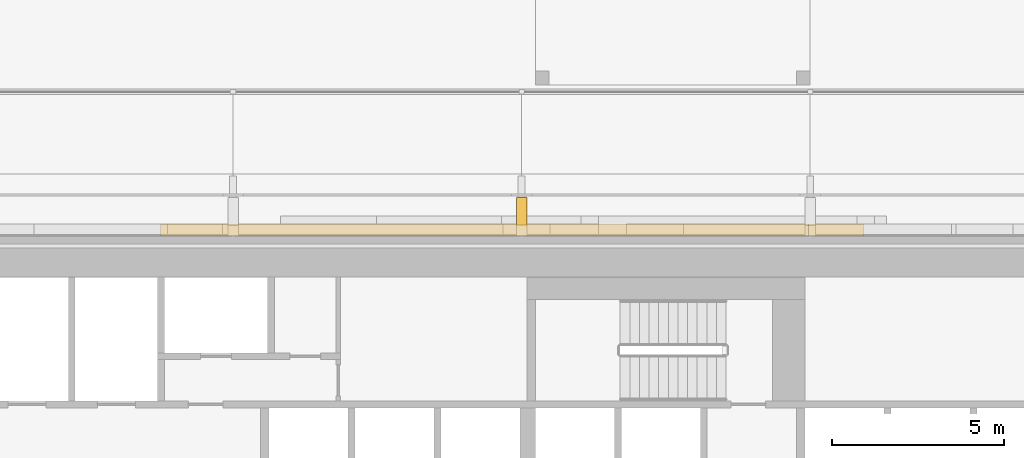
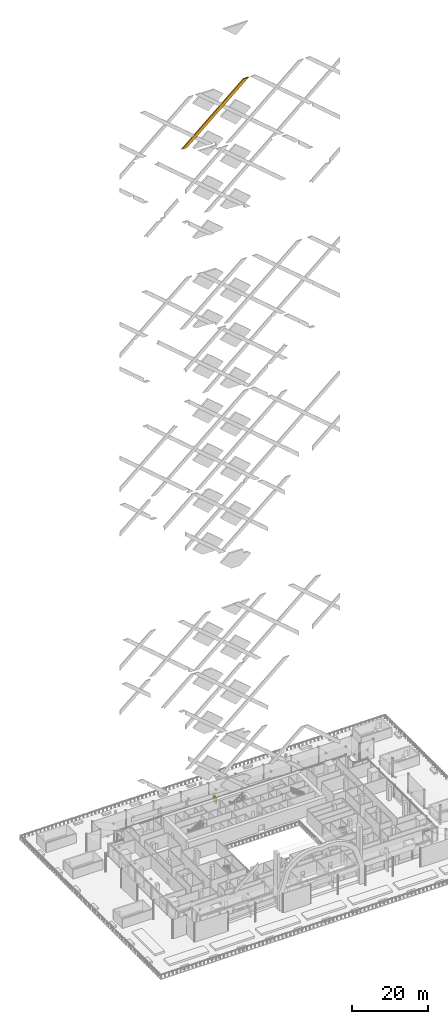
# One storey, part 43 of 60: 2 coverings.
"""IFC4 building model written with IfcOpenShell, lengths in metres."""

from ifc_helpers import new_model, si_unit, direction, frame, origin, origin_2d, place, context, subcontext, project, spatial, polyline, rectangle, outline, extrude, material, layer, layer_set, type_object, element, save


model = new_model("IFC4")

# Units and contexts
model_context = context("Model", 3, precision=1e-05, world=origin(), true_north=direction((0.0, 1.0)))
body_context = subcontext(model_context, "Body", "Model", "MODEL_VIEW")
ifc_project = project(units=[si_unit("LENGTHUNIT", "METRE"), si_unit("AREAUNIT", "SQUARE_METRE"), si_unit("VOLUMEUNIT", "CUBIC_METRE"), si_unit("PLANEANGLEUNIT", "RADIAN"), si_unit("MASSUNIT", "GRAM", prefix="KILO")], contexts=[model_context])

# Site, building, storey
site_placement = place(None, origin())
site = spatial("IfcSite", under=ifc_project, at=site_placement, CompositionType="ELEMENT")
building_placement = place(site_placement, origin())
building = spatial("IfcBuilding", under=site, at=building_placement, Name="Saffron Gate Tower", CompositionType="ELEMENT")
storey_placement = place(building_placement, frame((0.0, 0.0, 19.199951171875)))
storey = spatial("IfcBuildingStorey", under=building, at=storey_placement, Name="L03", CompositionType="ELEMENT", Elevation=19.199951171875)

# Coverings
ifc_material_1 = material(Name="Timber, thermally modified ash", Category="wood")
ifc_layer_1 = layer(ifc_material_1, 0.300048828125)
ifc_layer_set_1 = layer_set([ifc_layer_1], Name="LD3 ledge riser fin")
covering_type_1 = type_object("IfcCoveringType", Name="LD3 ledge riser fin", PredefinedType="CLADDING", material=ifc_layer_set_1)
covering_1_placement = place(storey_placement, frame((83.39990234375, 76.159912109375, 2.099365234375), z_axis=(0.0, 0.0, 1.0), x_axis=(-1.0, 0.0, 0.0)))
element("IfcCovering", 1, at=covering_1_placement, inside=storey, type_object=covering_type_1, Name="LEDGE riser fin", PredefinedType="CLADDING", context=body_context, shape_type="SweptSolid", body=[
    extrude(rectangle(XDim=0.300048828125, YDim=1.1201171875, at=origin_2d()), origin(), (0.0, 0.0, 1.0), 1.93115234375),
])
ifc_material_2 = material(Name="Ceramic-printed bronze insulated panel")
ifc_layer_2 = layer(ifc_material_2, 0.35009765625)
ifc_layer_set_2 = layer_set([ifc_layer_2], Name="LZ1 lozenge lattice bar 1600")
covering_type_2 = type_object("IfcCoveringType", Name="LZ1 lozenge lattice bar 1600", PredefinedType="CLADDING", material=ifc_layer_set_2)
covering_2_placement = place(storey_placement, frame((74.43505859375, 75.949951171875, 216.88720703125), z_axis=(0.0, 1.0, 0.0), x_axis=(-0.999583684676, 0.0, 0.02885233664)))
element("IfcCovering", 2, at=covering_2_placement, inside=storey, type_object=covering_type_2, Name="CLADDING lozenge lattice bar", PredefinedType="CLADDING", context=body_context, shape_type="SweptSolid", body=[
    extrude(outline(polyline([(0.0, 0.0), (1.5484962252077255, 0.0), (-16.83995315259309, 16.705717468536143), (-18.439384663668882, 16.751884024770668), (0.0, 0.0)])), origin(), (0.0, 0.0, -1.0), 0.35009765625),
])

save(model, "model.ifc")
